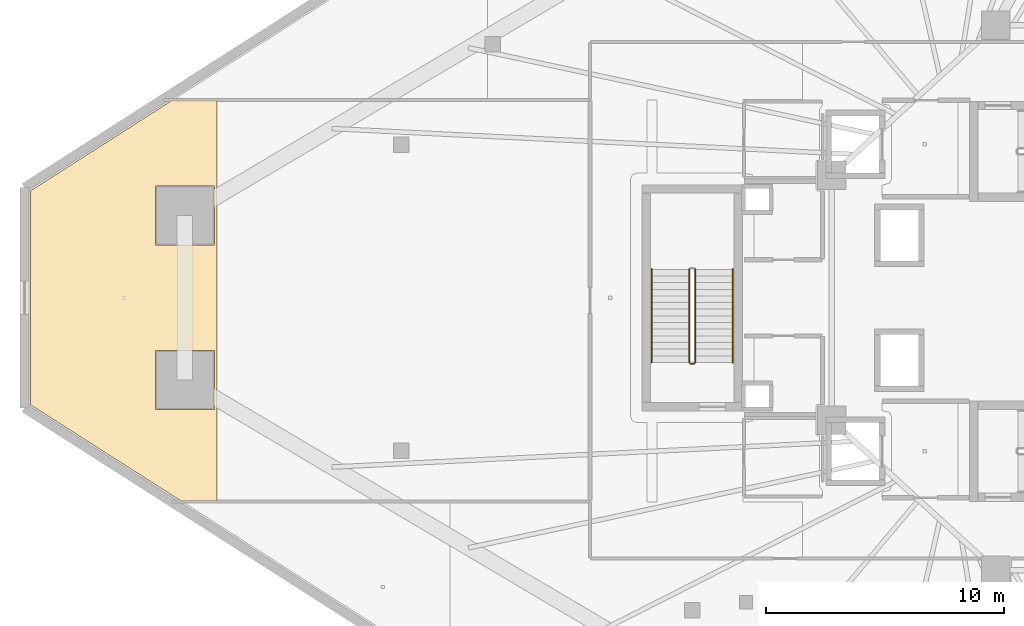
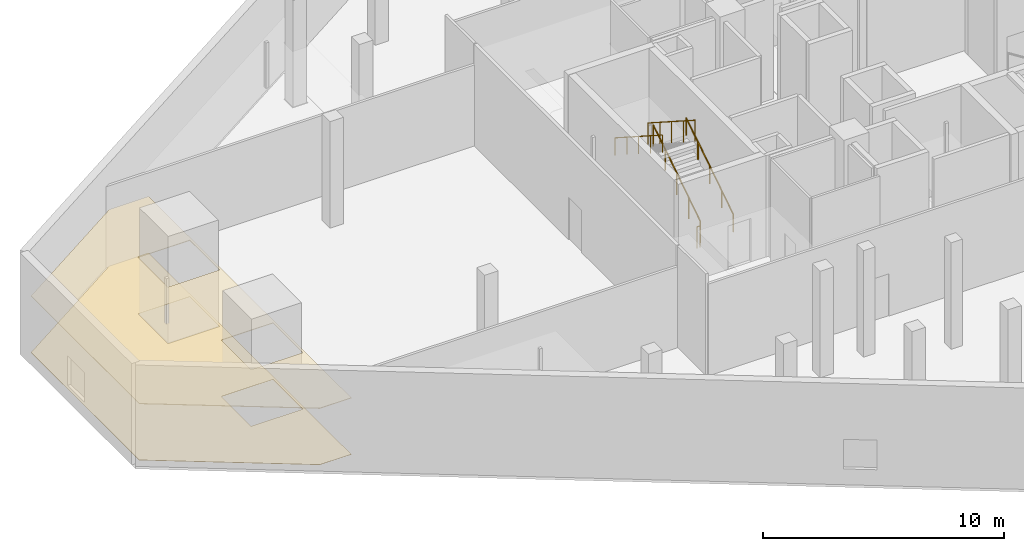
# One storey, part 41 of 47: 5 railings, 2 coverings.
"""IFC4 building model written with IfcOpenShell, lengths in metres."""

from ifc_helpers import new_model, si_unit, direction, frame, origin, origin_2d, place, context, subcontext, project, spatial, polyline, circle, outline, extrude, material, layer, layer_set, type_object, element, save


model = new_model("IFC4")

# Units and contexts
model_context = context("Model", 3, precision=1e-05, world=origin(), true_north=direction((0.0, 1.0)))
body_context = subcontext(model_context, "Body", "Model", "MODEL_VIEW")
ifc_project = project(units=[si_unit("LENGTHUNIT", "METRE"), si_unit("AREAUNIT", "SQUARE_METRE"), si_unit("VOLUMEUNIT", "CUBIC_METRE"), si_unit("PLANEANGLEUNIT", "RADIAN"), si_unit("MASSUNIT", "GRAM", prefix="KILO")], contexts=[model_context])

# Site, building, storey
site_placement = place(None, origin())
site = spatial("IfcSite", under=ifc_project, at=site_placement, CompositionType="ELEMENT")
building_placement = place(site_placement, origin())
building = spatial("IfcBuilding", under=site, at=building_placement, Name="Qorvath Tower", CompositionType="ELEMENT")
storey_placement = place(building_placement, frame((0.0, 0.0, 6.60009765625)))
storey = spatial("IfcBuildingStorey", under=building, at=storey_placement, Name="L01", CompositionType="ELEMENT", Elevation=6.60009765625)

# Coverings
ifc_material_1 = material(Name="Acoustic mineral fibre ceiling tile", Category="gypsum")
ifc_layer_1 = layer(ifc_material_1, 0.030029296875)
ifc_layer_set_1 = layer_set([ifc_layer_1], Name="COV-CEIL")
covering_type_1 = type_object("IfcCoveringType", Name="COV-CEIL", PredefinedType="CEILING", material=ifc_layer_set_1)
covering_1_placement = place(storey_placement, frame((0.0, 0.0, 2.849853515625)))
element("IfcCovering", 1, at=covering_1_placement, inside=storey, type_object=covering_type_1, Name="L01 Suspended Acoustic Ceiling 013", PredefinedType="CEILING", context=body_context, shape_type="SweptSolid", body=[
    extrude(outline(polyline([(-56.33056640625, -8.537109375), (-56.33056640625, 8.306884765625), (-58.203125, 8.306884765625), (-64.164306640625, 4.4970703125), (-64.164306640625, -4.4970703125), (-57.84326171875, -8.537109375), (-56.33056640625, -8.537109375)]), holes=[polyline([(-58.92236328125, -2.213623046875), (-56.4375, -2.213623046875), (-56.4375, -4.698486328125), (-58.92236328125, -4.698486328125), (-58.92236328125, -2.213623046875)]), polyline([(-58.92236328125, 4.698486328125), (-56.4375, 4.698486328125), (-56.4375, 2.213623046875), (-58.92236328125, 2.213623046875), (-58.92236328125, 4.698486328125)])]), origin(), (0.0, 0.0, 1.0), 0.030029296875),
])
ifc_material_2 = material(Name="Low-VOC modular carpet tile", Category="textile")
ifc_layer_2 = layer(ifc_material_2, 0.014892578125)
ifc_layer_set_2 = layer_set([ifc_layer_2], Name="COV-FLOOR-CPT")
covering_type_2 = type_object("IfcCoveringType", Name="COV-FLOOR-CPT", PredefinedType="FLOORING", material=ifc_layer_set_2)
covering_2_placement = place(storey_placement, origin())
element("IfcCovering", 2, at=covering_2_placement, inside=storey, type_object=covering_type_2, Name="L01 Floor Finish 013", PredefinedType="FLOORING", context=body_context, shape_type="SweptSolid", body=[
    extrude(outline(polyline([(-56.33056640625, -8.537109375), (-56.33056640625, 8.306884765625), (-58.203125, 8.306884765625), (-64.164306640625, 4.4970703125), (-64.164306640625, -4.4970703125), (-57.84326171875, -8.537109375), (-56.33056640625, -8.537109375)]), holes=[polyline([(-58.92236328125, -2.213623046875), (-56.4375, -2.213623046875), (-56.4375, -4.698486328125), (-58.92236328125, -4.698486328125), (-58.92236328125, -2.213623046875)]), polyline([(-58.92236328125, 4.698486328125), (-56.4375, 4.698486328125), (-56.4375, 2.213623046875), (-58.92236328125, 2.213623046875), (-58.92236328125, 4.698486328125)])]), origin(), (0.0, 0.0, 1.0), 0.014892578125),
])

# Railings
ifc_material_3 = material(Name="Painted galvanised steel", Category="steel")
railing_type_1 = type_object("IfcRailingType", Name="RL-STR-GRD", PredefinedType="GUARDRAIL", material=ifc_material_3)
railing_1_placement = place(storey_placement, frame((-36.22998046875, -2.719970703125, 0.179931640625)))
element("IfcRailing", 3, at=railing_1_placement, inside=storey, type_object=railing_type_1, Name="L01 TS3 stair guard 1", PredefinedType="GUARDRAIL", context=body_context, shape_type="SweptSolid", body=[
    extrude(circle(Radius=0.02392578125, at=origin_2d()), frame((0.0, 0.0, 1.076171875), z_axis=(0.0, 0.841171666519, 0.540768182723), x_axis=(-1.0, 0.0, 0.0)), (0.0, 0.0, 1.0), 4.66015625),
    extrude(circle(Radius=0.02099609375, at=origin_2d()), origin(), (0.0, 0.0, 1.0), 1.052001953125),
    extrude(circle(Radius=0.02099609375, at=origin_2d()), frame((0.0, 0.97998046875, 0.6298828125)), (0.0, 0.0, 1.0), 1.052001953125),
    extrude(circle(Radius=0.02099609375, at=origin_2d()), frame((0.0, 1.9599609375, 1.260009765625)), (0.0, 0.0, 1.0), 1.052001953125),
    extrude(circle(Radius=0.02099609375, at=origin_2d()), frame((0.0, 2.93994140625, 1.89013671875)), (0.0, 0.0, 1.0), 1.052001953125),
    extrude(circle(Radius=0.02099609375, at=origin_2d()), frame((0.0, 3.919921875, 2.52001953125)), (0.0, 0.0, 1.0), 1.052001953125),
])
railing_2_placement = place(storey_placement, frame((-36.47998046875, 1.199951171875, 2.8798828125)))
element("IfcRailing", 4, at=railing_2_placement, inside=storey, type_object=railing_type_1, Name="L01 TS3 stair guard 3", PredefinedType="GUARDRAIL", context=body_context, shape_type="SweptSolid", body=[
    extrude(circle(Radius=0.02392578125, at=origin_2d()), frame((0.0, 0.0, 1.076171875), z_axis=(0.0, -0.841171666519, 0.540768182723), x_axis=(1.0, 0.0, 0.0)), (0.0, 0.0, 1.0), 4.66015625),
    extrude(circle(Radius=0.02099609375, at=origin_2d()), origin(), (0.0, 0.0, 1.0), 1.052001953125),
    extrude(circle(Radius=0.02099609375, at=origin_2d()), frame((0.0, -0.97998046875, 0.6298828125)), (0.0, 0.0, 1.0), 1.052001953125),
    extrude(circle(Radius=0.02099609375, at=origin_2d()), frame((0.0, -1.9599609375, 1.260009765625)), (0.0, 0.0, 1.0), 1.052001953125),
    extrude(circle(Radius=0.02099609375, at=origin_2d()), frame((0.0, -2.93994140625, 1.89013671875)), (0.0, 0.0, 1.0), 1.052001953125),
    extrude(circle(Radius=0.02099609375, at=origin_2d()), frame((0.0, -3.919921875, 2.52001953125)), (0.0, 0.0, 1.0), 1.052001953125),
])
railing_3_placement = place(storey_placement, frame((-36.280029296875, -2.77001953125, 0.0)))
element("IfcRailing", 5, at=railing_3_placement, inside=storey, type_object=railing_type_1, Name="L01 TS3 stair guard 4", PredefinedType="GUARDRAIL", context=body_context, shape_type="SweptSolid", body=[
    extrude(circle(Radius=0.02392578125, at=origin_2d()), frame((0.0, 0.0, 1.076171875), z_axis=(-1.0, 0.0, 0.0), x_axis=(0.0, -1.0, 0.0)), (0.0, 0.0, 1.0), 0.14990234375),
    extrude(circle(Radius=0.02099609375, at=origin_2d()), origin(), (0.0, 0.0, 1.0), 1.052001953125),
    extrude(circle(Radius=0.02099609375, at=origin_2d()), frame((-0.14990234375, 0.0, 0.0)), (0.0, 0.0, 1.0), 1.052001953125),
])
ifc_material_4 = material(Name="Brushed stainless steel AISI 304", Category="steel")
railing_type_2 = type_object("IfcRailingType", Name="RL-STR-HND", PredefinedType="HANDRAIL", material=ifc_material_4)
railing_4_placement = place(storey_placement, frame((-34.64990234375, -2.719970703125, 0.179931640625)))
element("IfcRailing", 6, at=railing_4_placement, inside=storey, type_object=railing_type_2, Name="L01 TS3 stair handrail 1", PredefinedType="HANDRAIL", context=body_context, shape_type="SweptSolid", body=[
    extrude(circle(Radius=0.02392578125, at=origin_2d()), frame((0.0, 0.0, 0.8759765625), z_axis=(0.0, 0.841171666519, 0.540768182723), x_axis=(-1.0, 0.0, 0.0)), (0.0, 0.0, 1.0), 4.66015625),
    extrude(circle(Radius=0.02099609375, at=origin_2d()), origin(), (0.0, 0.0, 1.0), 0.851806640625),
    extrude(circle(Radius=0.02099609375, at=origin_2d()), frame((0.0, 0.97998046875, 0.6298828125)), (0.0, 0.0, 1.0), 0.851806640625),
    extrude(circle(Radius=0.02099609375, at=origin_2d()), frame((0.0, 1.9599609375, 1.260009765625)), (0.0, 0.0, 1.0), 0.851806640625),
    extrude(circle(Radius=0.02099609375, at=origin_2d()), frame((0.0, 2.93994140625, 1.89013671875)), (0.0, 0.0, 1.0), 0.851806640625),
    extrude(circle(Radius=0.02099609375, at=origin_2d()), frame((0.0, 3.919921875, 2.52001953125)), (0.0, 0.0, 1.0), 0.851806640625),
])
railing_5_placement = place(storey_placement, frame((-38.06005859375, 1.199951171875, 2.8798828125)))
element("IfcRailing", 7, at=railing_5_placement, inside=storey, type_object=railing_type_2, Name="L01 TS3 stair handrail 2", PredefinedType="HANDRAIL", context=body_context, shape_type="SweptSolid", body=[
    extrude(circle(Radius=0.02392578125, at=origin_2d()), frame((0.0, 0.0, 0.8759765625), z_axis=(0.0, -0.841171666519, 0.540768182723), x_axis=(1.0, 0.0, 0.0)), (0.0, 0.0, 1.0), 4.66015625),
    extrude(circle(Radius=0.02099609375, at=origin_2d()), origin(), (0.0, 0.0, 1.0), 0.851806640625),
    extrude(circle(Radius=0.02099609375, at=origin_2d()), frame((0.0, -0.97998046875, 0.6298828125)), (0.0, 0.0, 1.0), 0.851806640625),
    extrude(circle(Radius=0.02099609375, at=origin_2d()), frame((0.0, -1.9599609375, 1.260009765625)), (0.0, 0.0, 1.0), 0.851806640625),
    extrude(circle(Radius=0.02099609375, at=origin_2d()), frame((0.0, -2.93994140625, 1.89013671875)), (0.0, 0.0, 1.0), 0.851806640625),
    extrude(circle(Radius=0.02099609375, at=origin_2d()), frame((0.0, -3.919921875, 2.52001953125)), (0.0, 0.0, 1.0), 0.851806640625),
])

save(model, "model.ifc")
